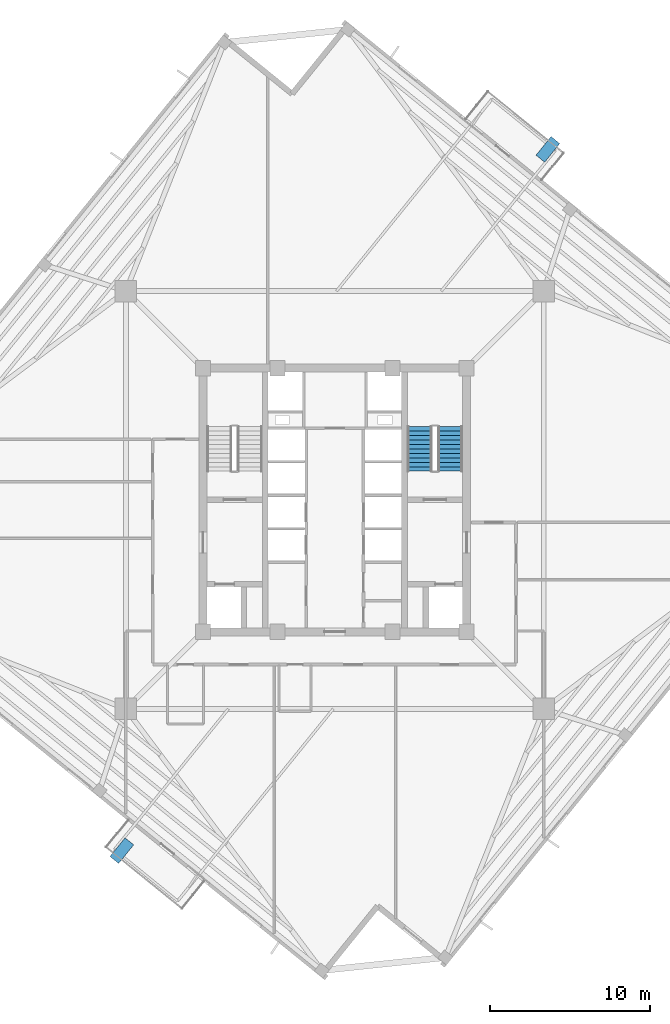
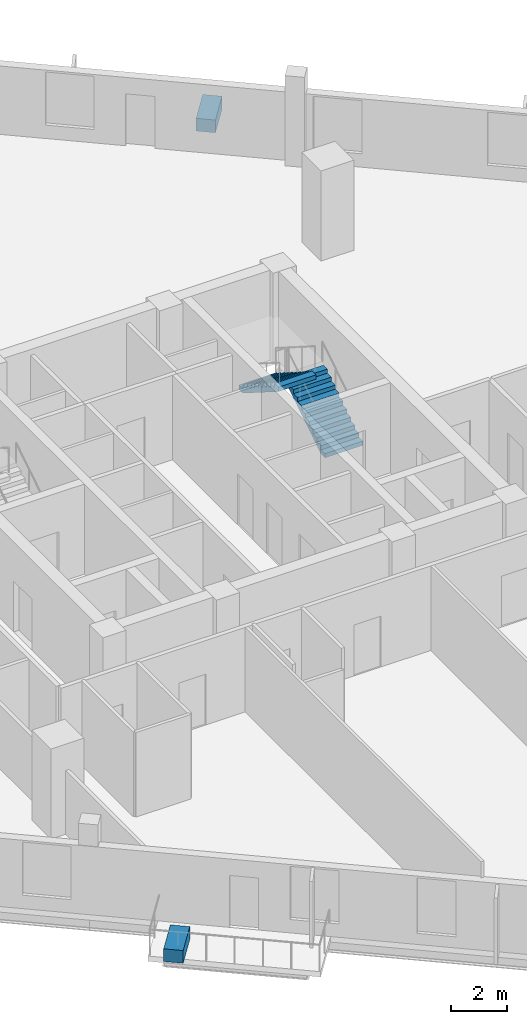
# One storey, part 6 of 10: 2 discrete accessories, 2 stair flights, 1 element without a shape of its own.
"""IFC4 building model written with IfcOpenShell, lengths in metres."""

from ifc_helpers import new_model, si_unit, direction, frame, origin, origin_2d, place, context, subcontext, project, spatial, polyline, rectangle, outline, extrude, source, transform, mapped, material, type_object, element, aggregate, save


model = new_model("IFC4")

# Units and contexts
model_context = context("Model", 3, precision=1e-05, world=origin(), true_north=direction((0.0, 1.0)))
body_context = subcontext(model_context, "Body", "Model", "MODEL_VIEW")
ifc_project = project(units=[si_unit("LENGTHUNIT", "METRE"), si_unit("AREAUNIT", "SQUARE_METRE"), si_unit("VOLUMEUNIT", "CUBIC_METRE"), si_unit("PLANEANGLEUNIT", "RADIAN"), si_unit("MASSUNIT", "GRAM", prefix="KILO"), si_unit("THERMODYNAMICTEMPERATUREUNIT", "KELVIN")], contexts=[model_context])

# Site, building, storey
site_placement = place(None, origin())
site = spatial("IfcSite", under=ifc_project, at=site_placement, CompositionType="ELEMENT")
building_placement = place(site_placement, origin())
building = spatial("IfcBuilding", under=site, at=building_placement, Name="Kosmvard Interchange Tower", CompositionType="ELEMENT")
storey_placement = place(building_placement, frame((0.0, 0.0, 217.300048828125)))
storey = spatial("IfcBuildingStorey", under=building, at=storey_placement, Name="L52", CompositionType="ELEMENT", Elevation=217.300048828125)

# Stair, stair flights
ifc_material_1 = material(Name="Concrete C50/60", Category="concrete")
stair_type = type_object("IfcStairType", Name="Dog-Leg Core Exit Stair H3900 C50/60", PredefinedType="HALF_TURN_STAIR", material=ifc_material_1)
stair_placement = place(storey_placement, origin())
stair = element("IfcStair", 1, at=stair_placement, inside=storey, type_object=stair_type, Name="L52 Protected Exit Stair ST-2", PredefinedType="HALF_TURN_STAIR")
stair_flight_type = type_object("IfcStairFlightType", Name="Core Stair Flight W1550 H3900 C50/60", PredefinedType="STRAIGHT", material=ifc_material_1)
shared_shape_1 = source(origin(), body_context, "Body", "SweptSolid", [
    extrude(outline(polyline([(0.0, 0.0), (0.0, 0.17724609375), (0.280029296875, 0.17724609375), (0.280029296875, 0.3544921875), (0.56005859375, 0.3544921875), (0.56005859375, 0.53173828125), (0.840087890625, 0.53173828125), (0.840087890625, 0.708984375), (1.1201171875, 0.708984375), (1.1201171875, 0.886474609375), (1.39990234375, 0.886474609375), (1.39990234375, 1.063720703125), (1.679931640625, 1.063720703125), (1.679931640625, 1.240966796875), (1.9599609375, 1.240966796875), (1.9599609375, 1.418212890625), (2.239990234375, 1.418212890625), (2.239990234375, 1.595458984375), (2.52001953125, 1.595458984375), (2.52001953125, 1.772705078125), (2.800048828125, 1.772705078125), (2.800048828125, 1.949951171875), (2.800048828125, 1.58349609375), (0.298828125, 0.0), (0.0, 0.0)])), frame((0.0, 0.77490234375, 0.0), z_axis=(0.0, -1.0, 0.0), x_axis=(1.0, 0.0, 0.0)), (0.0, 0.0, 1.0), 1.550048828125),
])
stair_flight_1_placement = place(storey_placement, frame((7.22509765625, 1.800048828125, 0.0), z_axis=(0.0, 0.0, 1.0), x_axis=(0.0, 1.0, 0.0)))
stair_flight_1 = element("IfcStairFlight", 2, at=stair_flight_1_placement, type_object=stair_flight_type, Name="ST-2 flight 1", NumberOfRisers=11, NumberOfTreads=10, PredefinedType="STRAIGHT", RiserHeight=0.177272727, TreadLength=0.28, context=body_context, shape_type="MappedRepresentation", body=[
    mapped(shared_shape_1, transform((0.0, 0.0, 0.0), scale=1.0)),
])
stair_flight_2_placement = place(storey_placement, frame((5.31494140625, 4.60009765625, 1.949951171875), z_axis=(0.0, 0.0, 1.0), x_axis=(0.0, -1.0, 0.0)))
stair_flight_2 = element("IfcStairFlight", 3, at=stair_flight_2_placement, type_object=stair_flight_type, Name="ST-2 flight 2", NumberOfRisers=11, NumberOfTreads=10, PredefinedType="STRAIGHT", RiserHeight=0.177272727, TreadLength=0.28, context=body_context, shape_type="MappedRepresentation", body=[
    mapped(shared_shape_1, transform((0.0, 0.0, 0.0), scale=1.0)),
])
aggregate(stair, [stair_flight_1, stair_flight_2])

# Discrete accessories
ifc_material_2 = material(Name="Terracotta precast planter concrete C45/55", Category="masonry")
discrete_accessory_type = type_object("IfcDiscreteAccessoryType", Name="Precast Tree-Balcony & Terrace Planter Box", PredefinedType="USERDEFINED", material=ifc_material_2)
shared_shape_2 = source(origin(), body_context, "Body", "SweptSolid", [
    extrude(rectangle(XDim=1.5, YDim=0.699951171875, at=origin_2d()), origin(), (0.0, 0.0, 1.0), 0.550048828125),
])
for number, where, z_axis, x_axis, name in (
    (4, (13.3349609375, 21.949462890625, 0.0), (0.0, 0.0, 1.0), (0.62932039105, 0.777145961457, 0.0), "L52 Balcony Tree Planter BAL-L52-E"),
    (5, (-13.3349609375, -21.949462890625, 0.0), (0.0, 0.0, 1.0), (0.62932039105, 0.777145961457, 0.0), "L52 Balcony Tree Planter BAL-L52-W"),
):
    element("IfcDiscreteAccessory", number, at=place(storey_placement, frame(where, z_axis=z_axis, x_axis=x_axis)), inside=storey, type_object=discrete_accessory_type, Name=name, ObjectType="PLANTER", PredefinedType="USERDEFINED", context=body_context, shape_type="MappedRepresentation", body=[
        mapped(shared_shape_2, transform((0.0, 0.0, 0.0), scale=1.0)),
    ])

save(model, "model.ifc")
